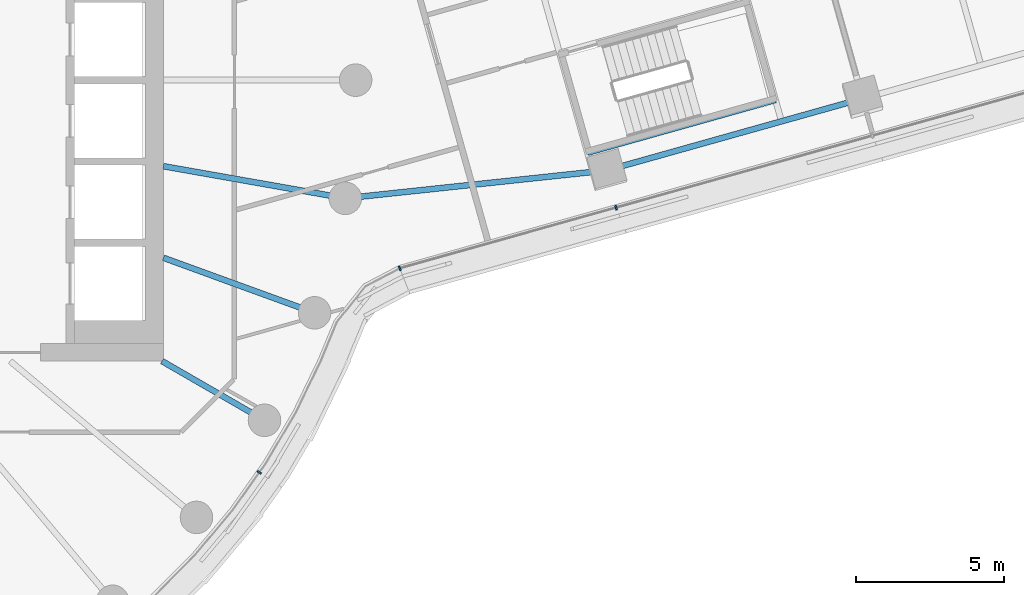
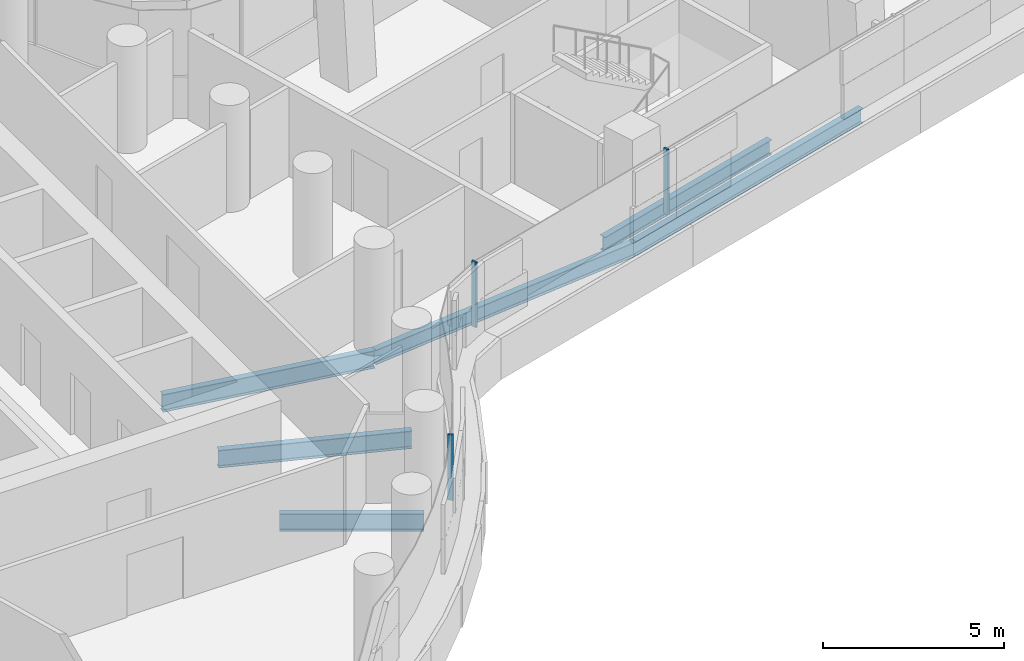
# One storey, part 9 of 30: 6 beams, 3 members, 2 elements without a shape of their own.
"""IFC4 building model written with IfcOpenShell, lengths in metres."""

from ifc_helpers import new_model, si_unit, direction, frame, origin, origin_2d, place, context, subcontext, project, spatial, rectangle, i_section, extrude, material, layer, layer_set, material_profile, profile_set, type_object, element, aggregate, save


model = new_model("IFC4")

# Units and contexts
model_context = context("Model", 3, precision=1e-05, world=origin(), true_north=direction((0.0, 1.0)))
body_context = subcontext(model_context, "Body", "Model", "MODEL_VIEW")
ifc_project = project(units=[si_unit("LENGTHUNIT", "METRE"), si_unit("AREAUNIT", "SQUARE_METRE"), si_unit("VOLUMEUNIT", "CUBIC_METRE"), si_unit("PLANEANGLEUNIT", "RADIAN"), si_unit("MASSUNIT", "GRAM", prefix="KILO")], contexts=[model_context])

# Site, building, storey
site_placement = place(None, origin())
site = spatial("IfcSite", under=ifc_project, at=site_placement, CompositionType="ELEMENT")
building_placement = place(site_placement, origin())
building = spatial("IfcBuilding", under=site, at=building_placement, Name="Tamarind Cross Interchange Tower", CompositionType="ELEMENT")
storey_placement = place(building_placement, frame((0.0, 0.0, 91.0)))
storey = spatial("IfcBuildingStorey", under=building, at=storey_placement, Name="L21", CompositionType="ELEMENT", Elevation=91.0)

# Beams
ifc_material_1 = material(Name="Steel Q355B", Category="steel")
ifc_material_profile_1 = material_profile(ifc_material_1, i_section(OverallWidth=0.198974609375, OverallDepth=0.49609375, WebThickness=0.009033203125, FlangeThickness=0.013916015625, FilletRadius=0.012939453125, at=origin_2d()), Name="HN 496x199x9x14")
ifc_profile_set_1 = profile_set([ifc_material_profile_1], Name="Steel Q355B")
beam_type_1 = type_object("IfcBeamType", Name="Composite beam HN 496x199x9x14 Q355B", PredefinedType="BEAM", material=ifc_profile_set_1)
beam_1_placement = place(storey_placement, frame((40.142578125, -0.622314453125, -0.387939453125), z_axis=(-0.96282528208, -0.270124927, 0.0), x_axis=(0.270124927, -0.96282528208, 0.0)))
element("IfcBeam", 1, at=beam_1_placement, inside=storey, type_object=beam_type_1, Name="Beam E-edgeem6", PredefinedType="BEAM", context=body_context, shape_type="SweptSolid", body=[
    extrude(i_section(OverallWidth=0.198974609375, OverallDepth=0.49609375, WebThickness=0.009033203125, FlangeThickness=0.013916015625, FilletRadius=0.012939453125, at=origin_2d()), origin(), (0.0, 0.0, 1.0), 9.0),
])
beam_2_placement = place(storey_placement, frame((31.47705078125, -3.053466796875, -0.387939453125), z_axis=(-0.994371725124, -0.105947497723, 0.0), x_axis=(0.105947497723, -0.994371725124, 0.0)))
element("IfcBeam", 2, at=beam_2_placement, inside=storey, type_object=beam_type_1, Name="Beam E-linkem", PredefinedType="BEAM", context=body_context, shape_type="SweptSolid", body=[
    extrude(i_section(OverallWidth=0.198974609375, OverallDepth=0.49609375, WebThickness=0.009033203125, FlangeThickness=0.013916015625, FilletRadius=0.012939453125, at=origin_2d()), origin(), (0.0, 0.0, 1.0), 8.87646484375),
])
beam_3_placement = place(storey_placement, frame((30.84130859375, -2.452880859375, -0.387939453125), z_axis=(0.962818272763, 0.270149909558, 0.0), x_axis=(-0.270149909558, 0.962818272763, 0.0)))
element("IfcBeam", 3, at=beam_3_placement, inside=storey, type_object=beam_type_1, Name="Beam E-tr0", PredefinedType="BEAM", context=body_context, shape_type="SweptSolid", body=[
    extrude(i_section(OverallWidth=0.198974609375, OverallDepth=0.49609375, WebThickness=0.009033203125, FlangeThickness=0.013916015625, FilletRadius=0.012939453125, at=origin_2d()), origin(), (0.0, 0.0, 1.0), 6.599853515625),
])
ifc_material_profile_2 = material_profile(ifc_material_1, i_section(OverallWidth=0.198974609375, OverallDepth=0.595947265625, WebThickness=0.010009765625, FlangeThickness=0.014892578125, FilletRadius=0.012939453125, at=origin_2d()), Name="HN 596x199x10x15")
ifc_profile_set_2 = profile_set([ifc_material_profile_2], Name="Steel Q355B")
beam_type_2 = type_object("IfcBeamType", Name="Composite beam HN 596x199x10x15 Q355B", PredefinedType="BEAM", material=ifc_profile_set_2)
beam_4_placement = place(storey_placement, frame((19.918701171875, -11.5, -0.43798828125), z_axis=(-0.866026010844, 0.49999894854, 0.0), x_axis=(-0.49999894854, -0.866026010844, 0.0)))
element("IfcBeam", 4, at=beam_4_placement, inside=storey, type_object=beam_type_2, Name="Beam HH33", PredefinedType="BEAM", context=body_context, shape_type="SweptSolid", body=[
    extrude(i_section(OverallWidth=0.198974609375, OverallDepth=0.595947265625, WebThickness=0.010009765625, FlangeThickness=0.014892578125, FilletRadius=0.012939453125, at=origin_2d()), origin(), (0.0, 0.0, 1.0), 4.0),
])
beam_5_placement = place(storey_placement, frame((21.613037109375, -7.866455078125, -0.43798828125), z_axis=(-0.939701685589, 0.341995236956, 0.0), x_axis=(-0.341995236956, -0.939701685589, 0.0)))
element("IfcBeam", 5, at=beam_5_placement, inside=storey, type_object=beam_type_2, Name="Beam HH34", PredefinedType="BEAM", context=body_context, shape_type="SweptSolid", body=[
    extrude(i_section(OverallWidth=0.198974609375, OverallDepth=0.595947265625, WebThickness=0.010009765625, FlangeThickness=0.014892578125, FilletRadius=0.012939453125, at=origin_2d()), origin(), (0.0, 0.0, 1.0), 5.441162109375),
])
beam_6_placement = place(storey_placement, frame((22.650634765625, -3.993896484375, -0.43798828125), z_axis=(-0.984809127561, 0.173640382036, 0.0), x_axis=(-0.173640382036, -0.984809127561, 0.0)))
element("IfcBeam", 6, at=beam_6_placement, inside=storey, type_object=beam_type_2, Name="Beam HH35", PredefinedType="BEAM", context=body_context, shape_type="SweptSolid", body=[
    extrude(i_section(OverallWidth=0.198974609375, OverallDepth=0.595947265625, WebThickness=0.010009765625, FlangeThickness=0.014892578125, FilletRadius=0.012939453125, at=origin_2d()), origin(), (0.0, 0.0, 1.0), 6.24560546875),
])

# Curtain wall, member
ifc_material_2 = material(Name="Aluminium 6063-T6", Category="aluminium")
ifc_layer = layer(ifc_material_2, 0.159912109375)
ifc_layer_set = layer_set([ifc_layer], Name="Aluminium 6063-T6")
curtain_wall_type = type_object("IfcCurtainWallType", Name="Office curtain wall, 9.0 m bays", PredefinedType="NOTDEFINED", material=ifc_layer_set)
curtain_wall_1_placement = place(storey_placement, origin())
curtain_wall_1 = element("IfcCurtainWall", 7, at=curtain_wall_1_placement, inside=storey, type_object=curtain_wall_type, Name="CWS-L21-02", PredefinedType="NOTDEFINED")
ifc_material_profile_3 = material_profile(ifc_material_2, rectangle(XDim=0.06005859375, YDim=0.159912109375, at=origin_2d()), Name="Mullion CW1")
ifc_profile_set_3 = profile_set([ifc_material_profile_3], Name="Aluminium 6063-T6")
member_type = type_object("IfcMemberType", Name="Mullion CW1", PredefinedType="MULLION", material=ifc_profile_set_3)
member_1_placement = place(storey_placement, frame((19.742431640625, -13.260498046875, 1.39990234375), z_axis=(0.0, 0.0, 1.0), x_axis=(0.577568978284, 0.816341886298, 0.0)))
member_1 = element("IfcMember", 8, at=member_1_placement, type_object=member_type, Name="CWM-L21-02-02", PredefinedType="MULLION", context=body_context, shape_type="SweptSolid", body=[
    extrude(rectangle(XDim=0.06005859375, YDim=0.159912109375, at=origin_2d()), origin(), (0.0, 0.0, 1.0), 2.210205078125),
])
aggregate(curtain_wall_1, [member_1])

# Curtain wall, members
curtain_wall_2_placement = place(storey_placement, origin())
curtain_wall_2 = element("IfcCurtainWall", 9, at=curtain_wall_2_placement, inside=storey, type_object=curtain_wall_type, Name="CWS-L21-03", PredefinedType="NOTDEFINED")
member_2_placement = place(storey_placement, frame((24.4921875, -6.36328125, 1.39990234375), z_axis=(0.0, 0.0, 1.0), x_axis=(0.929176951283, 0.369635216401, 0.0)))
member_2 = element("IfcMember", 10, at=member_2_placement, type_object=member_type, Name="CWM-L21-03-00", PredefinedType="MULLION", context=body_context, shape_type="SweptSolid", body=[
    extrude(rectangle(XDim=0.06005859375, YDim=0.159912109375, at=origin_2d()), origin(), (0.0, 0.0, 1.0), 2.210205078125),
])
member_3_placement = place(storey_placement, frame((31.806396484375, -4.311279296875, 1.39990234375), z_axis=(0.0, 0.0, 1.0), x_axis=(0.962823871791, 0.270129953744, 0.0)))
member_3 = element("IfcMember", 11, at=member_3_placement, type_object=member_type, Name="CWM-L21-03-01", PredefinedType="MULLION", context=body_context, shape_type="SweptSolid", body=[
    extrude(rectangle(XDim=0.06005859375, YDim=0.159912109375, at=origin_2d()), origin(), (0.0, 0.0, 1.0), 2.210205078125),
])
aggregate(curtain_wall_2, [member_2, member_3])

save(model, "model.ifc")
